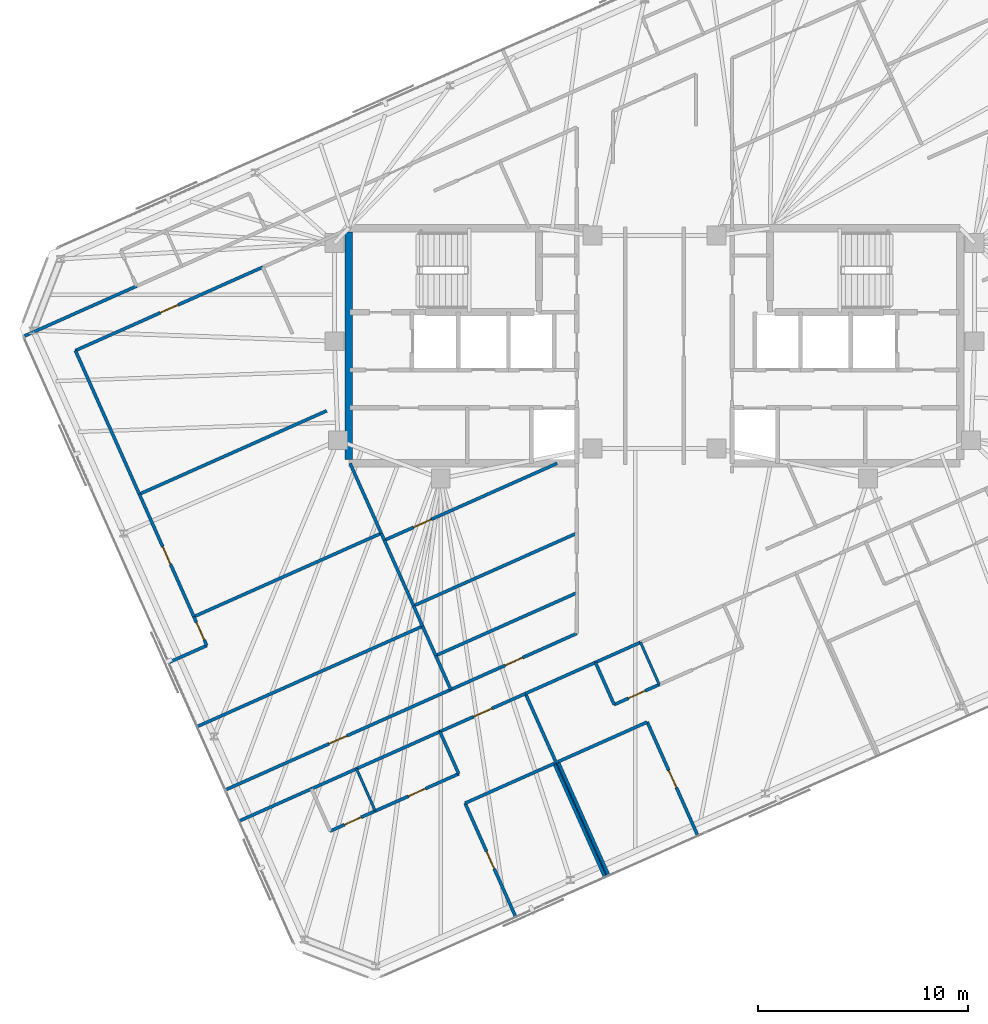
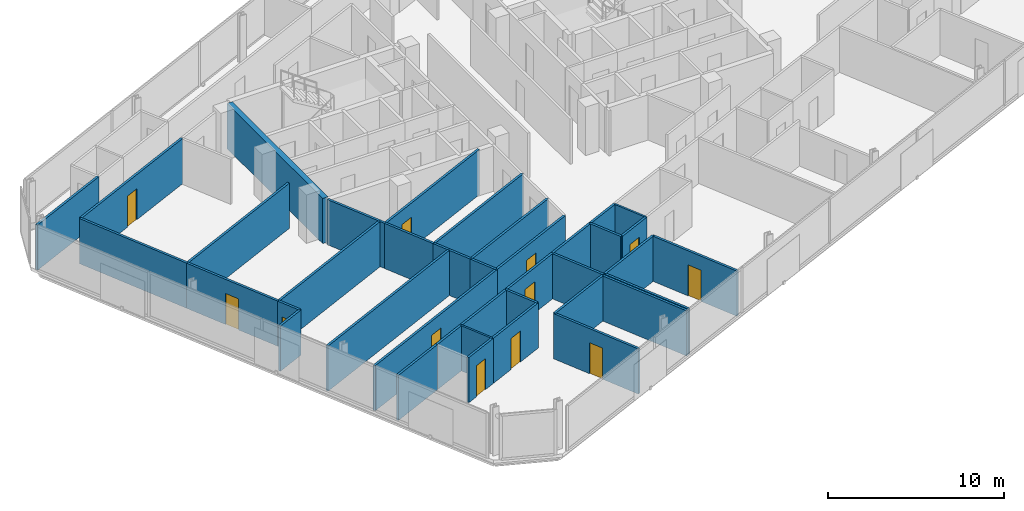
# One storey, part 13 of 19: 41 walls, 12 doors, 12 openings.
"""IFC4 building model written with IfcOpenShell, lengths in metres."""

from ifc_helpers import new_model, si_unit, direction, frame, frame_2d, origin, place, context, subcontext, project, spatial, rectangle, extrude, material, layer, layer_set, type_object, element, fill, save


model = new_model("IFC4")

# Units and contexts
model_context = context("Model", 3, precision=1e-05, world=origin(), true_north=direction((0.0, 1.0)))
body_context = subcontext(model_context, "Body", "Model", "MODEL_VIEW")
ifc_project = project(units=[si_unit("LENGTHUNIT", "METRE"), si_unit("AREAUNIT", "SQUARE_METRE"), si_unit("VOLUMEUNIT", "CUBIC_METRE"), si_unit("PLANEANGLEUNIT", "RADIAN"), si_unit("MASSUNIT", "GRAM", prefix="KILO")], contexts=[model_context])

# Site, building, storey
site_placement = place(None, origin())
site = spatial("IfcSite", under=ifc_project, at=site_placement, CompositionType="ELEMENT")
building_placement = place(site_placement, origin())
building = spatial("IfcBuilding", under=site, at=building_placement, Name="Menara Jurai Vektor", CompositionType="ELEMENT")
storey_placement = place(building_placement, frame((0.0, 0.0, 295.300048828125)))
storey = spatial("IfcBuildingStorey", under=building, at=storey_placement, Name="L79", CompositionType="ELEMENT", Elevation=295.300048828125)

# Walls
ifc_material_1 = material(Name="Gypsum Fireboard Partition", Category="gypsum")
ifc_layer_1 = layer(ifc_material_1, 0.14990234375)
ifc_layer_set_1 = layer_set([ifc_layer_1], Name="Gypsum Fireboard Partition")
wall_type_1 = type_object("IfcWallType", Name="INT-WALL-CORR-150", PredefinedType="PARTITIONING", material=ifc_layer_set_1)
wall_1_placement = place(storey_placement, frame((-30.063232421875, 0.44384765625, 0.0), z_axis=(0.0, 0.0, 1.0), x_axis=(0.913545336501, 0.406736915165, 0.0)))
element("IfcWall", 1, at=wall_1_placement, inside=storey, type_object=wall_type_1, Name="Interior Wall IW-150 L79", PredefinedType="PARTITIONING", context=body_context, shape_type="SweptSolid", body=[
    extrude(rectangle(XDim=5.904052734375, YDim=0.14990234375, at=frame_2d((2.9521484375, 0.0))), origin(), (0.0, 0.0, 1.0), 3.125),
])
wall_2_placement = place(storey_placement, frame((-19.786376953125, -22.638671875, 0.0), z_axis=(0.0, 0.0, 1.0), x_axis=(0.913541633228, 0.406745232743, 0.0)))
element("IfcWall", 2, at=wall_2_placement, inside=storey, type_object=wall_type_1, Name="Interior Wall IW-150 L79", PredefinedType="PARTITIONING", context=body_context, shape_type="SweptSolid", body=[
    extrude(rectangle(XDim=3.77001953125, YDim=0.14990234375, at=frame_2d((1.885009765625, 0.0))), origin(), (0.0, 0.0, 1.0), 3.125),
])

# Wall, opening, door
wall_3_placement = place(storey_placement, frame((-10.221435546875, -18.380126953125, 0.0), z_axis=(0.0, 0.0, 1.0), x_axis=(0.913542602601, 0.406743055543, 0.0)))
wall_3 = element("IfcWall", 3, at=wall_3_placement, inside=storey, type_object=wall_type_1, Name="Interior Wall IW-150 L79", PredefinedType="PARTITIONING", context=body_context, shape_type="SweptSolid", body=[
    extrude(rectangle(XDim=4.4580078125, YDim=0.14990234375, at=frame_2d((2.22900390625, 0.0))), origin(), (0.0, 0.0, 1.0), 3.125),
])
opening_1_placement = place(wall_3_placement, frame((1.75390625, 0.0, 0.0)))
opening_1 = element("IfcOpeningElement", 4, at=opening_1_placement, cuts=wall_3, Name="Opening D79-15", PredefinedType="OPENING", context=body_context, shape_type="SweptSolid", body=[
    extrude(rectangle(XDim=0.949951171875, YDim=2.14990234375, at=frame_2d((0.47509765625, 1.074951171875))), frame((0.0, 0.0849609375, 0.0), z_axis=(0.0, -1.0, 0.0), x_axis=(1.0, 0.0, 0.0)), (0.0, 0.0, 1.0), 0.169921875),
])
ifc_material_2 = material(Name="Solid Core Timber Fire Door", Category="wood")
door_type_1 = type_object("IfcDoorType", Name="DR-ENTRY-950", OperationType="NOTDEFINED", PredefinedType="DOOR", material=ifc_material_2)
door_1_placement = place(opening_1_placement, origin())
door_1 = element("IfcDoor", 5, at=door_1_placement, inside=storey, type_object=door_type_1, Name="Interior Door D79-15", OperationType="SINGLE_SWING_RIGHT", OverallHeight=2.14990234375, OverallWidth=0.949951171875, PredefinedType="DOOR", context=body_context, shape_type="SweptSolid", body=[
    extrude(rectangle(XDim=0.949951171875, YDim=2.14990234375, at=frame_2d((0.47509765625, 1.074951171875))), frame((0.0, 0.02490234375, 0.0), z_axis=(0.0, -1.0, 0.0), x_axis=(1.0, 0.0, 0.0)), (0.0, 0.0, 1.0), 0.050048828125),
])
fill(opening_1, door_1)

# Walls
wall_4_placement = place(storey_placement, frame((-16.34228515625, -21.105224609375, 0.0), z_axis=(0.0, 0.0, 1.0), x_axis=(0.913558622212, 0.406707073682, 0.0)))
element("IfcWall", 6, at=wall_4_placement, inside=storey, type_object=wall_type_1, Name="Interior Wall IW-150 L79", PredefinedType="PARTITIONING", context=body_context, shape_type="SweptSolid", body=[
    extrude(rectangle(XDim=2.35009765625, YDim=0.14990234375, at=frame_2d((1.175048828125, 0.0))), origin(), (0.0, 0.0, 1.0), 3.125),
])
wall_5_placement = place(storey_placement, frame((-14.1953125, -20.1494140625, 0.0), z_axis=(0.0, 0.0, 1.0), x_axis=(0.913545193015, 0.406737237438, 0.0)))
element("IfcWall", 7, at=wall_5_placement, inside=storey, type_object=wall_type_1, Name="Interior Wall IW-150 L79", PredefinedType="PARTITIONING", context=body_context, shape_type="SweptSolid", body=[
    extrude(rectangle(XDim=4.349853515625, YDim=0.14990234375, at=frame_2d((2.1748046875, 0.0))), origin(), (0.0, 0.0, 1.0), 3.125),
])
wall_6_placement = place(storey_placement, frame((-6.14892578125, -16.56689453125, 0.0), z_axis=(0.0, 0.0, 1.0), x_axis=(0.913543802, 0.40674036169, 0.0)))
element("IfcWall", 8, at=wall_6_placement, inside=storey, type_object=wall_type_1, Name="Interior Wall IW-150 L79", PredefinedType="PARTITIONING", context=body_context, shape_type="SweptSolid", body=[
    extrude(rectangle(XDim=3.650146484375, YDim=0.14990234375, at=frame_2d((1.8251953125, 0.0))), origin(), (0.0, 0.0, 1.0), 3.125),
])
wall_7_placement = place(storey_placement, frame((-2.814453125, -15.082275390625, 0.0), z_axis=(0.0, 0.0, 1.0), x_axis=(0.913558622212, 0.406707073682, 0.0)))
element("IfcWall", 9, at=wall_7_placement, inside=storey, type_object=wall_type_1, Name="Interior Wall IW-150 L79", PredefinedType="PARTITIONING", context=body_context, shape_type="SweptSolid", body=[
    extrude(rectangle(XDim=2.35009765625, YDim=0.14990234375, at=frame_2d((1.175048828125, 0.0))), origin(), (0.0, 0.0, 1.0), 3.125),
])

# Wall, opening, door
wall_8_placement = place(storey_placement, frame((-20.4453125, -21.15869140625, 0.0), z_axis=(0.0, 0.0, 1.0), x_axis=(0.913547681516, 0.406731648137, 0.0)))
wall_8 = element("IfcWall", 10, at=wall_8_placement, inside=storey, type_object=wall_type_1, Name="Interior Wall IW-150 L79", PredefinedType="PARTITIONING", context=body_context, shape_type="SweptSolid", body=[
    extrude(rectangle(XDim=11.760009765625, YDim=0.14990234375, at=frame_2d((5.8798828125, 0.0))), origin(), (0.0, 0.0, 1.0), 3.125),
])
opening_2_placement = place(wall_8_placement, frame((5.419921875, 0.0, 0.0)))
opening_2 = element("IfcOpeningElement", 11, at=opening_2_placement, cuts=wall_8, Name="Opening D79-31", PredefinedType="OPENING", context=body_context, shape_type="SweptSolid", body=[
    extrude(rectangle(XDim=0.919921875, YDim=2.14990234375, at=frame_2d((0.4599609375, 1.074951171875))), frame((0.0, 0.0849609375, 0.0), z_axis=(0.0, -1.0, 0.0), x_axis=(1.0, 0.0, 0.0)), (0.0, 0.0, 1.0), 0.169921875),
])
door_2_placement = place(opening_2_placement, origin())
door_2 = element("IfcDoor", 12, at=door_2_placement, inside=storey, type_object=door_type_1, Name="Interior Door D79-31", OperationType="SINGLE_SWING_RIGHT", OverallHeight=2.14990234375, OverallWidth=0.919921875, PredefinedType="DOOR", context=body_context, shape_type="SweptSolid", body=[
    extrude(rectangle(XDim=0.919921875, YDim=2.14990234375, at=frame_2d((0.4599609375, 1.074951171875))), frame((0.0, 0.02490234375, 0.0), z_axis=(0.0, -1.0, 0.0), x_axis=(1.0, 0.0, 0.0)), (0.0, 0.0, 1.0), 0.050048828125),
])
fill(opening_2, door_2)

# Wall
wall_9_placement = place(storey_placement, frame((-23.14794921875, -15.088134765625, 0.0), z_axis=(0.0, 0.0, 1.0), x_axis=(0.913553334727, 0.406718950392, 0.0)))
element("IfcWall", 13, at=wall_9_placement, inside=storey, type_object=wall_type_1, Name="Interior Wall IW-150 L79", PredefinedType="PARTITIONING", context=body_context, shape_type="SweptSolid", body=[
    extrude(rectangle(XDim=1.989990234375, YDim=0.14990234375, at=frame_2d((0.9951171875, 0.0))), origin(), (0.0, 0.0, 1.0), 3.125),
])

# Wall, opening, door
wall_10_placement = place(storey_placement, frame((-21.330078125, -14.27880859375, 0.0), z_axis=(0.0, 0.0, 1.0), x_axis=(-0.406725442105, 0.913550444554, 0.0)))
wall_10 = element("IfcWall", 14, at=wall_10_placement, inside=storey, type_object=wall_type_1, Name="Interior Wall IW-150 L79", PredefinedType="PARTITIONING", context=body_context, shape_type="SweptSolid", body=[
    extrude(rectangle(XDim=1.5048828125, YDim=0.14990234375, at=frame_2d((0.75244140625, 0.0))), origin(), (0.0, 0.0, 1.0), 3.125),
])
opening_3_placement = place(wall_10_placement, frame((0.29248046875, 0.0, 0.0)))
opening_3 = element("IfcOpeningElement", 15, at=opening_3_placement, cuts=wall_10, Name="Opening D79-32", PredefinedType="OPENING", context=body_context, shape_type="SweptSolid", body=[
    extrude(rectangle(XDim=0.919921875, YDim=2.14990234375, at=frame_2d((0.4599609375, 1.074951171875))), frame((0.0, 0.0849609375, 0.0), z_axis=(0.0, -1.0, 0.0), x_axis=(1.0, 0.0, 0.0)), (0.0, 0.0, 1.0), 0.169921875),
])
door_3_placement = place(opening_3_placement, origin())
door_3 = element("IfcDoor", 16, at=door_3_placement, inside=storey, type_object=door_type_1, Name="Interior Door D79-32", OperationType="SINGLE_SWING_LEFT", OverallHeight=2.14990234375, OverallWidth=0.919921875, PredefinedType="DOOR", context=body_context, shape_type="SweptSolid", body=[
    extrude(rectangle(XDim=0.919921875, YDim=2.14990234375, at=frame_2d((0.4599609375, 1.074951171875))), frame((0.0, 0.02490234375, 0.0), z_axis=(0.0, -1.0, 0.0), x_axis=(1.0, 0.0, 0.0)), (0.0, 0.0, 1.0), 0.050048828125),
])
fill(opening_3, door_3)

wall_11_placement = place(storey_placement, frame((-21.942138671875, -12.904052734375, 0.0), z_axis=(0.0, 0.0, 1.0), x_axis=(-0.406712833395, 0.913556058023, 0.0)))
wall_11 = element("IfcWall", 17, at=wall_11_placement, inside=storey, type_object=wall_type_1, Name="Interior Wall IW-150 L79", PredefinedType="PARTITIONING", context=body_context, shape_type="SweptSolid", body=[
    extrude(rectangle(XDim=6.38818359375, YDim=0.14990234375, at=frame_2d((3.194091796875, 0.0))), origin(), (0.0, 0.0, 1.0), 3.125),
])
opening_4_placement = place(wall_11_placement, frame((2.73388671875, 0.0, 0.0)))
opening_4 = element("IfcOpeningElement", 18, at=opening_4_placement, cuts=wall_11, Name="Opening D79-33", PredefinedType="OPENING", context=body_context, shape_type="SweptSolid", body=[
    extrude(rectangle(XDim=0.919921875, YDim=2.14990234375, at=frame_2d((0.4599609375, 1.074951171875))), frame((0.0, 0.0849609375, 0.0), z_axis=(0.0, -1.0, 0.0), x_axis=(1.0, 0.0, 0.0)), (0.0, 0.0, 1.0), 0.169921875),
])
door_4_placement = place(opening_4_placement, origin())
door_4 = element("IfcDoor", 19, at=door_4_placement, inside=storey, type_object=door_type_1, Name="Interior Door D79-33", OperationType="SINGLE_SWING_RIGHT", OverallHeight=2.14990234375, OverallWidth=0.919921875, PredefinedType="DOOR", context=body_context, shape_type="SweptSolid", body=[
    extrude(rectangle(XDim=0.919921875, YDim=2.14990234375, at=frame_2d((0.4599609375, 1.074951171875))), frame((0.0, 0.02490234375, 0.0), z_axis=(0.0, -1.0, 0.0), x_axis=(1.0, 0.0, 0.0)), (0.0, 0.0, 1.0), 0.050048828125),
])
fill(opening_4, door_4)

# Wall
wall_12_placement = place(storey_placement, frame((-24.540283203125, -7.068115234375, 0.0), z_axis=(0.0, 0.0, 1.0), x_axis=(-0.406758457302, 0.913535745011, 0.0)))
element("IfcWall", 20, at=wall_12_placement, inside=storey, type_object=wall_type_1, Name="Interior Wall IW-150 L79", PredefinedType="PARTITIONING", context=body_context, shape_type="SweptSolid", body=[
    extrude(rectangle(XDim=7.48876953125, YDim=0.14990234375, at=frame_2d((3.744384765625, 0.0))), origin(), (0.0, 0.0, 1.0), 3.125),
])

# Wall, opening, door
wall_13_placement = place(storey_placement, frame((-27.58642578125, -0.226806640625, 0.0), z_axis=(0.0, 0.0, 1.0), x_axis=(0.913542396088, 0.40674351937, 0.0)))
wall_13 = element("IfcWall", 21, at=wall_13_placement, inside=storey, type_object=wall_type_1, Name="Interior Wall IW-150 L79", PredefinedType="PARTITIONING", context=body_context, shape_type="SweptSolid", body=[
    extrude(rectangle(XDim=9.77001953125, YDim=0.14990234375, at=frame_2d((4.885009765625, 0.0))), origin(), (0.0, 0.0, 1.0), 3.125),
])
opening_5_placement = place(wall_13_placement, frame((4.425048828125, 0.0, 0.0)))
opening_5 = element("IfcOpeningElement", 22, at=opening_5_placement, cuts=wall_13, Name="Opening D79-34", PredefinedType="OPENING", context=body_context, shape_type="SweptSolid", body=[
    extrude(rectangle(XDim=0.919921875, YDim=2.14990234375, at=frame_2d((0.4599609375, 1.074951171875))), frame((0.0, 0.0849609375, 0.0), z_axis=(0.0, -1.0, 0.0), x_axis=(1.0, 0.0, 0.0)), (0.0, 0.0, 1.0), 0.169921875),
])
door_5_placement = place(opening_5_placement, origin())
door_5 = element("IfcDoor", 23, at=door_5_placement, inside=storey, type_object=door_type_1, Name="Interior Door D79-34", OperationType="SINGLE_SWING_LEFT", OverallHeight=2.14990234375, OverallWidth=0.919921875, PredefinedType="DOOR", context=body_context, shape_type="SweptSolid", body=[
    extrude(rectangle(XDim=0.919921875, YDim=2.14990234375, at=frame_2d((0.4599609375, 1.074951171875))), frame((0.0, 0.02490234375, 0.0), z_axis=(0.0, -1.0, 0.0), x_axis=(1.0, 0.0, 0.0)), (0.0, 0.0, 1.0), 0.050048828125),
])
fill(opening_5, door_5)

wall_14_placement = place(storey_placement, frame((-9.701904296875, -16.37548828125, 0.0), z_axis=(0.0, 0.0, 1.0), x_axis=(0.913552389019, 0.406721074594, 0.0)))
wall_14 = element("IfcWall", 24, at=wall_14_placement, inside=storey, type_object=wall_type_1, Name="Interior Wall IW-150 L79", PredefinedType="PARTITIONING", context=body_context, shape_type="SweptSolid", body=[
    extrude(rectangle(XDim=6.56982421875, YDim=0.14990234375, at=frame_2d((3.284912109375, 0.0))), origin(), (0.0, 0.0, 1.0), 3.125),
])
opening_6_placement = place(wall_14_placement, frame((2.824951171875, 0.0, 0.0)))
opening_6 = element("IfcOpeningElement", 25, at=opening_6_placement, cuts=wall_14, Name="Opening D79-37", PredefinedType="OPENING", context=body_context, shape_type="SweptSolid", body=[
    extrude(rectangle(XDim=0.919921875, YDim=2.14990234375, at=frame_2d((0.4599609375, 1.074951171875))), frame((0.0, 0.0849609375, 0.0), z_axis=(0.0, -1.0, 0.0), x_axis=(1.0, 0.0, 0.0)), (0.0, 0.0, 1.0), 0.169921875),
])
door_6_placement = place(opening_6_placement, origin())
door_6 = element("IfcDoor", 26, at=door_6_placement, inside=storey, type_object=door_type_1, Name="Interior Door D79-37", OperationType="SINGLE_SWING_RIGHT", OverallHeight=2.14990234375, OverallWidth=0.919921875, PredefinedType="DOOR", context=body_context, shape_type="SweptSolid", body=[
    extrude(rectangle(XDim=0.919921875, YDim=2.14990234375, at=frame_2d((0.4599609375, 1.074951171875))), frame((0.0, 0.02490234375, 0.0), z_axis=(0.0, -1.0, 0.0), x_axis=(1.0, 0.0, 0.0)), (0.0, 0.0, 1.0), 0.050048828125),
])
fill(opening_6, door_6)

wall_15_placement = place(storey_placement, frame((-15.447509765625, -23.114990234375, 0.0), z_axis=(0.0, 0.0, 1.0), x_axis=(0.913558622212, 0.406707073682, 0.0)))
wall_15 = element("IfcWall", 27, at=wall_15_placement, inside=storey, type_object=wall_type_1, Name="Interior Wall IW-150 L79", PredefinedType="PARTITIONING", context=body_context, shape_type="SweptSolid", body=[
    extrude(rectangle(XDim=2.35009765625, YDim=0.14990234375, at=frame_2d((1.175048828125, 0.0))), origin(), (0.0, 0.0, 1.0), 3.125),
])
opening_7_placement = place(wall_15_placement, frame((0.735107421875, 0.0, 0.0)))
opening_7 = element("IfcOpeningElement", 28, at=opening_7_placement, cuts=wall_15, Name="Opening D79-16", PredefinedType="OPENING", context=body_context, shape_type="SweptSolid", body=[
    extrude(rectangle(XDim=0.8798828125, YDim=2.14990234375, at=frame_2d((0.43994140625, 1.074951171875))), frame((0.0, 0.0849609375, 0.0), z_axis=(0.0, -1.0, 0.0), x_axis=(1.0, 0.0, 0.0)), (0.0, 0.0, 1.0), 0.169921875),
])
ifc_material_3 = material(Name="Moisture-Resistant Timber Door", Category="wood")
door_type_2 = type_object("IfcDoorType", Name="DR-BATH-880", OperationType="NOTDEFINED", PredefinedType="DOOR", material=ifc_material_3)
door_7_placement = place(opening_7_placement, origin())
door_7 = element("IfcDoor", 29, at=door_7_placement, inside=storey, type_object=door_type_2, Name="Interior Door D79-16", OperationType="SINGLE_SWING_LEFT", OverallHeight=2.14990234375, OverallWidth=0.8798828125, PredefinedType="DOOR", context=body_context, shape_type="SweptSolid", body=[
    extrude(rectangle(XDim=0.8798828125, YDim=2.14990234375, at=frame_2d((0.43994140625, 1.074951171875))), frame((0.0, 0.02490234375, 0.0), z_axis=(0.0, -1.0, 0.0), x_axis=(1.0, 0.0, 0.0)), (0.0, 0.0, 1.0), 0.050048828125),
])
fill(opening_7, door_7)

wall_16_placement = place(storey_placement, frame((-13.300537109375, -22.1591796875, 0.0), z_axis=(0.0, 0.0, 1.0), x_axis=(0.913545193015, 0.406737237438, 0.0)))
wall_16 = element("IfcWall", 30, at=wall_16_placement, inside=storey, type_object=wall_type_1, Name="Interior Wall IW-150 L79", PredefinedType="PARTITIONING", context=body_context, shape_type="SweptSolid", body=[
    extrude(rectangle(XDim=4.349853515625, YDim=0.14990234375, at=frame_2d((2.1748046875, 0.0))), origin(), (0.0, 0.0, 1.0), 3.125),
])
opening_8_placement = place(wall_16_placement, frame((1.72509765625, 0.0, 0.0)))
opening_8 = element("IfcOpeningElement", 31, at=opening_8_placement, cuts=wall_16, Name="Opening D79-17", PredefinedType="OPENING", context=body_context, shape_type="SweptSolid", body=[
    extrude(rectangle(XDim=0.89990234375, YDim=2.14990234375, at=frame_2d((0.449951171875, 1.074951171875))), frame((0.0, 0.0849609375, 0.0), z_axis=(0.0, -1.0, 0.0), x_axis=(1.0, 0.0, 0.0)), (0.0, 0.0, 1.0), 0.169921875),
])
ifc_material_4 = material(Name="Acoustic Timber Interior Door", Category="wood")
door_type_3 = type_object("IfcDoorType", Name="DR-ROOM-900", OperationType="NOTDEFINED", PredefinedType="DOOR", material=ifc_material_4)
door_8_placement = place(opening_8_placement, origin())
door_8 = element("IfcDoor", 32, at=door_8_placement, inside=storey, type_object=door_type_3, Name="Interior Door D79-17", OperationType="SINGLE_SWING_RIGHT", OverallHeight=2.14990234375, OverallWidth=0.89990234375, PredefinedType="DOOR", context=body_context, shape_type="SweptSolid", body=[
    extrude(rectangle(XDim=0.89990234375, YDim=2.14990234375, at=frame_2d((0.449951171875, 1.074951171875))), frame((0.0, 0.02490234375, 0.0), z_axis=(0.0, -1.0, 0.0), x_axis=(1.0, 0.0, 0.0)), (0.0, 0.0, 1.0), 0.050048828125),
])
fill(opening_8, door_8)

# Wall
wall_17_placement = place(storey_placement, frame((-9.32666015625, -20.389892578125, 0.0), z_axis=(0.0, 0.0, 1.0), x_axis=(-0.406725294076, 0.913550510459, 0.0)))
element("IfcWall", 33, at=wall_17_placement, inside=storey, type_object=wall_type_1, Name="Interior Wall IW-150 L79", PredefinedType="PARTITIONING", context=body_context, shape_type="SweptSolid", body=[
    extrude(rectangle(XDim=2.199951171875, YDim=0.14990234375, at=frame_2d((1.10009765625, 0.0))), origin(), (0.0, 0.0, 1.0), 3.125),
])

# Wall, opening, door
wall_18_placement = place(storey_placement, frame((-6.610107421875, -27.209716796875, 0.0), z_axis=(0.0, 0.0, 1.0), x_axis=(-0.406699433793, 0.913562023375, 0.0)))
wall_18 = element("IfcWall", 34, at=wall_18_placement, inside=storey, type_object=wall_type_1, Name="Interior Wall IW-150 L79", PredefinedType="PARTITIONING", context=body_context, shape_type="SweptSolid", body=[
    extrude(rectangle(XDim=5.93505859375, YDim=0.14990234375, at=frame_2d((2.967529296875, 0.0))), origin(), (0.0, 0.0, 1.0), 3.125),
])
opening_9_placement = place(wall_18_placement, frame((2.517578125, 0.0, 0.0)))
opening_9 = element("IfcOpeningElement", 35, at=opening_9_placement, cuts=wall_18, Name="Opening D79-18", PredefinedType="OPENING", context=body_context, shape_type="SweptSolid", body=[
    extrude(rectangle(XDim=0.89990234375, YDim=2.14990234375, at=frame_2d((0.449951171875, 1.074951171875))), frame((0.0, 0.0849609375, 0.0), z_axis=(0.0, -1.0, 0.0), x_axis=(1.0, 0.0, 0.0)), (0.0, 0.0, 1.0), 0.169921875),
])
door_9_placement = place(opening_9_placement, origin())
door_9 = element("IfcDoor", 36, at=door_9_placement, inside=storey, type_object=door_type_3, Name="Interior Door D79-18", OperationType="SINGLE_SWING_LEFT", OverallHeight=2.14990234375, OverallWidth=0.89990234375, PredefinedType="DOOR", context=body_context, shape_type="SweptSolid", body=[
    extrude(rectangle(XDim=0.89990234375, YDim=2.14990234375, at=frame_2d((0.449951171875, 1.074951171875))), frame((0.0, 0.02490234375, 0.0), z_axis=(0.0, -1.0, 0.0), x_axis=(1.0, 0.0, 0.0)), (0.0, 0.0, 1.0), 0.050048828125),
])
fill(opening_9, door_9)

# Walls
wall_19_placement = place(storey_placement, frame((-9.02392578125, -21.78759765625, 0.0), z_axis=(0.0, 0.0, 1.0), x_axis=(0.913564558304, 0.406693739576, 0.0)))
element("IfcWall", 37, at=wall_19_placement, inside=storey, type_object=wall_type_1, Name="Interior Wall IW-150 L79", PredefinedType="PARTITIONING", context=body_context, shape_type="SweptSolid", body=[
    extrude(rectangle(XDim=4.64990234375, YDim=0.14990234375, at=frame_2d((2.324951171875, 0.0))), origin(), (0.0, 0.0, 1.0), 3.125),
])
wall_20_placement = place(storey_placement, frame((-2.362060546875, -25.318359375, 0.0), z_axis=(0.0, 0.0, 1.0), x_axis=(-0.406714717734, 0.913555219119, 0.0)))
element("IfcWall", 38, at=wall_20_placement, inside=storey, type_object=wall_type_1, Name="Interior Wall IW-150 L79", PredefinedType="PARTITIONING", context=body_context, shape_type="SweptSolid", body=[
    extrude(rectangle(XDim=5.934814453125, YDim=0.14990234375, at=frame_2d((2.96728515625, 0.0))), origin(), (0.0, 0.0, 1.0), 3.125),
])
wall_21_placement = place(storey_placement, frame((-2.2705078125, -25.277587890625, 0.0), z_axis=(0.0, 0.0, 1.0), x_axis=(-0.406751296215, 0.913538933504, 0.0)))
element("IfcWall", 39, at=wall_21_placement, inside=storey, type_object=wall_type_1, Name="Interior Wall IW-150 L79", PredefinedType="PARTITIONING", context=body_context, shape_type="SweptSolid", body=[
    extrude(rectangle(XDim=9.53515625, YDim=0.14990234375, at=frame_2d((4.767578125, 0.0))), origin(), (0.0, 0.0, 1.0), 3.125),
])
wall_22_placement = place(storey_placement, frame((-1.919677734375, -17.092041015625, 0.0), z_axis=(0.0, 0.0, 1.0), x_axis=(-0.406725294076, 0.913550510459, 0.0)))
element("IfcWall", 40, at=wall_22_placement, inside=storey, type_object=wall_type_1, Name="Interior Wall IW-150 L79", PredefinedType="PARTITIONING", context=body_context, shape_type="SweptSolid", body=[
    extrude(rectangle(XDim=2.199951171875, YDim=0.14990234375, at=frame_2d((1.10009765625, 0.0))), origin(), (0.0, 0.0, 1.0), 3.125),
])

# Wall, opening, door
wall_23_placement = place(storey_placement, frame((-1.919677734375, -17.092041015625, 0.0), z_axis=(0.0, 0.0, 1.0), x_axis=(0.913558622212, 0.406707073682, 0.0)))
wall_23 = element("IfcWall", 41, at=wall_23_placement, inside=storey, type_object=wall_type_1, Name="Interior Wall IW-150 L79", PredefinedType="PARTITIONING", context=body_context, shape_type="SweptSolid", body=[
    extrude(rectangle(XDim=2.35009765625, YDim=0.14990234375, at=frame_2d((1.175048828125, 0.0))), origin(), (0.0, 0.0, 1.0), 3.125),
])
opening_10_placement = place(wall_23_placement, frame((0.735107421875, 0.0, 0.0)))
opening_10 = element("IfcOpeningElement", 42, at=opening_10_placement, cuts=wall_23, Name="Opening D79-20", PredefinedType="OPENING", context=body_context, shape_type="SweptSolid", body=[
    extrude(rectangle(XDim=0.8798828125, YDim=2.14990234375, at=frame_2d((0.43994140625, 1.074951171875))), frame((0.0, 0.0849609375, 0.0), z_axis=(0.0, -1.0, 0.0), x_axis=(1.0, 0.0, 0.0)), (0.0, 0.0, 1.0), 0.169921875),
])
door_10_placement = place(opening_10_placement, origin())
door_10 = element("IfcDoor", 43, at=door_10_placement, inside=storey, type_object=door_type_2, Name="Interior Door D79-20", OperationType="SINGLE_SWING_LEFT", OverallHeight=2.14990234375, OverallWidth=0.8798828125, PredefinedType="DOOR", context=body_context, shape_type="SweptSolid", body=[
    extrude(rectangle(XDim=0.8798828125, YDim=2.14990234375, at=frame_2d((0.43994140625, 1.074951171875))), frame((0.0, 0.02490234375, 0.0), z_axis=(0.0, -1.0, 0.0), x_axis=(1.0, 0.0, 0.0)), (0.0, 0.0, 1.0), 0.050048828125),
])
fill(opening_10, door_10)

# Walls
wall_24_placement = place(storey_placement, frame((-2.17919921875, -25.23681640625, 0.0), z_axis=(0.0, 0.0, 1.0), x_axis=(-0.406749048544, 0.913539934271, 0.0)))
element("IfcWall", 44, at=wall_24_placement, inside=storey, type_object=wall_type_1, Name="Interior Wall IW-150 L79", PredefinedType="PARTITIONING", context=body_context, shape_type="SweptSolid", body=[
    extrude(rectangle(XDim=5.93505859375, YDim=0.14990234375, at=frame_2d((2.967529296875, 0.0))), origin(), (0.0, 0.0, 1.0), 3.125),
])
wall_25_placement = place(storey_placement, frame((-4.59326171875, -19.81494140625, 0.0), z_axis=(0.0, 0.0, 1.0), x_axis=(0.91354505039, 0.40673755778, 0.0)))
element("IfcWall", 45, at=wall_25_placement, inside=storey, type_object=wall_type_1, Name="Interior Wall IW-150 L79", PredefinedType="PARTITIONING", context=body_context, shape_type="SweptSolid", body=[
    extrude(rectangle(XDim=4.650146484375, YDim=0.14990234375, at=frame_2d((2.3251953125, 0.0))), origin(), (0.0, 0.0, 1.0), 3.125),
])

# Wall, opening, door
wall_26_placement = place(storey_placement, frame((2.068603515625, -23.345703125, 0.0), z_axis=(0.0, 0.0, 1.0), x_axis=(-0.406699433793, 0.913562023375, 0.0)))
wall_26 = element("IfcWall", 46, at=wall_26_placement, inside=storey, type_object=wall_type_1, Name="Interior Wall IW-150 L79", PredefinedType="PARTITIONING", context=body_context, shape_type="SweptSolid", body=[
    extrude(rectangle(XDim=5.93505859375, YDim=0.14990234375, at=frame_2d((2.967529296875, 0.0))), origin(), (0.0, 0.0, 1.0), 3.125),
])
opening_11_placement = place(wall_26_placement, frame((2.517578125, 0.0, 0.0)))
opening_11 = element("IfcOpeningElement", 47, at=opening_11_placement, cuts=wall_26, Name="Opening D79-22", PredefinedType="OPENING", context=body_context, shape_type="SweptSolid", body=[
    extrude(rectangle(XDim=0.89990234375, YDim=2.14990234375, at=frame_2d((0.449951171875, 1.074951171875))), frame((0.0, 0.0849609375, 0.0), z_axis=(0.0, -1.0, 0.0), x_axis=(1.0, 0.0, 0.0)), (0.0, 0.0, 1.0), 0.169921875),
])
door_11_placement = place(opening_11_placement, origin())
door_11 = element("IfcDoor", 48, at=door_11_placement, inside=storey, type_object=door_type_3, Name="Interior Door D79-22", OperationType="SINGLE_SWING_LEFT", OverallHeight=2.14990234375, OverallWidth=0.89990234375, PredefinedType="DOOR", context=body_context, shape_type="SweptSolid", body=[
    extrude(rectangle(XDim=0.89990234375, YDim=2.14990234375, at=frame_2d((0.449951171875, 1.074951171875))), frame((0.0, 0.02490234375, 0.0), z_axis=(0.0, -1.0, 0.0), x_axis=(1.0, 0.0, 0.0)), (0.0, 0.0, 1.0), 0.050048828125),
])
fill(opening_11, door_11)

# Walls
wall_27_placement = place(storey_placement, frame((-21.7890625, -18.140380859375, 0.0), z_axis=(0.0, 0.0, 1.0), x_axis=(0.913544247064, 0.406739362069, 0.0)))
element("IfcWall", 49, at=wall_27_placement, inside=storey, type_object=wall_type_1, Name="Interior Wall IW-150 L79", PredefinedType="PARTITIONING", context=body_context, shape_type="SweptSolid", body=[
    extrude(rectangle(XDim=11.759765625, YDim=0.14990234375, at=frame_2d((5.8798828125, 0.0))), origin(), (0.0, 0.0, 1.0), 3.125),
])
wall_28_placement = place(storey_placement, frame((-9.701904296875, -16.37548828125, 0.0), z_axis=(0.0, 0.0, 1.0), x_axis=(-0.406740252054, 0.913543850813, 0.0)))
element("IfcWall", 50, at=wall_28_placement, inside=storey, type_object=wall_type_1, Name="Interior Wall IW-150 L79", PredefinedType="PARTITIONING", context=body_context, shape_type="SweptSolid", body=[
    extrude(rectangle(XDim=1.768798828125, YDim=0.14990234375, at=frame_2d((0.88427734375, 0.0))), origin(), (0.0, 0.0, 1.0), 3.125),
])
wall_29_placement = place(storey_placement, frame((-10.42138671875, -14.759521484375, 0.0), z_axis=(0.0, 0.0, 1.0), x_axis=(-0.406817131294, 0.91350961773, 0.0)))
element("IfcWall", 51, at=wall_29_placement, inside=storey, type_object=wall_type_1, Name="Interior Wall IW-150 L79", PredefinedType="PARTITIONING", context=body_context, shape_type="SweptSolid", body=[
    extrude(rectangle(XDim=1.53515625, YDim=0.14990234375, at=frame_2d((0.767578125, 0.0))), origin(), (0.0, 0.0, 1.0), 3.125),
])
wall_30_placement = place(storey_placement, frame((-21.942138671875, -12.904052734375, 0.0), z_axis=(0.0, 0.0, 1.0), x_axis=(0.913542396088, 0.40674351937, 0.0)))
element("IfcWall", 52, at=wall_30_placement, inside=storey, type_object=wall_type_1, Name="Interior Wall IW-150 L79", PredefinedType="PARTITIONING", context=body_context, shape_type="SweptSolid", body=[
    extrude(rectangle(XDim=9.77001953125, YDim=0.14990234375, at=frame_2d((4.885009765625, 0.0))), origin(), (0.0, 0.0, 1.0), 3.125),
])
wall_31_placement = place(storey_placement, frame((-11.0458984375, -13.357177734375, 0.0), z_axis=(0.0, 0.0, 1.0), x_axis=(-0.406629497236, 0.913593154515, 0.0)))
element("IfcWall", 53, at=wall_31_placement, inside=storey, type_object=wall_type_1, Name="Interior Wall IW-150 L79", PredefinedType="PARTITIONING", context=body_context, shape_type="SweptSolid", body=[
    extrude(rectangle(XDim=1.060791015625, YDim=0.14990234375, at=frame_2d((0.5302734375, 0.0))), origin(), (0.0, 0.0, 1.0), 3.125),
])
wall_32_placement = place(storey_placement, frame((-11.477294921875, -12.387939453125, 0.0), z_axis=(0.0, 0.0, 1.0), x_axis=(-0.406760980894, 0.913534621359, 0.0)))
element("IfcWall", 54, at=wall_32_placement, inside=storey, type_object=wall_type_1, Name="Interior Wall IW-150 L79", PredefinedType="PARTITIONING", context=body_context, shape_type="SweptSolid", body=[
    extrude(rectangle(XDim=3.419921875, YDim=0.14990234375, at=frame_2d((1.7099609375, 0.0))), origin(), (0.0, 0.0, 1.0), 3.125),
])
wall_33_placement = place(storey_placement, frame((-12.868408203125, -9.263671875, 0.0), z_axis=(0.0, 0.0, 1.0), x_axis=(-0.406634840409, 0.913590776314, 0.0)))
element("IfcWall", 55, at=wall_33_placement, inside=storey, type_object=wall_type_1, Name="Interior Wall IW-150 L79", PredefinedType="PARTITIONING", context=body_context, shape_type="SweptSolid", body=[
    extrude(rectangle(XDim=0.364990234375, YDim=0.14990234375, at=frame_2d((0.1826171875, 0.0))), origin(), (0.0, 0.0, 1.0), 3.125),
])
wall_34_placement = place(storey_placement, frame((-24.540283203125, -7.068115234375, 0.0), z_axis=(0.0, 0.0, 1.0), x_axis=(0.913551681238, 0.406722664364, 0.0)))
element("IfcWall", 56, at=wall_34_placement, inside=storey, type_object=wall_type_1, Name="Interior Wall IW-150 L79", PredefinedType="PARTITIONING", context=body_context, shape_type="SweptSolid", body=[
    extrude(rectangle(XDim=9.769775390625, YDim=0.14990234375, at=frame_2d((4.884765625, 0.0))), origin(), (0.0, 0.0, 1.0), 3.125),
])
wall_35_placement = place(storey_placement, frame((-13.016845703125, -8.93017578125, 0.0), z_axis=(0.0, 0.0, 1.0), x_axis=(-0.406722395322, 0.913551801018, 0.0)))
element("IfcWall", 57, at=wall_35_placement, inside=storey, type_object=wall_type_1, Name="Interior Wall IW-150 L79", PredefinedType="PARTITIONING", context=body_context, shape_type="SweptSolid", body=[
    extrude(rectangle(XDim=3.64599609375, YDim=0.14990234375, at=frame_2d((1.822998046875, 0.0))), origin(), (0.0, 0.0, 1.0), 3.125),
])
wall_36_placement = place(storey_placement, frame((-10.42138671875, -14.759521484375, 0.0), z_axis=(0.0, 0.0, 1.0), x_axis=(0.913533574053, 0.406763333006, 0.0)))
element("IfcWall", 58, at=wall_36_placement, inside=storey, type_object=wall_type_1, Name="Interior Wall IW-150 L79", PredefinedType="PARTITIONING", context=body_context, shape_type="SweptSolid", body=[
    extrude(rectangle(XDim=7.35791015625, YDim=0.14990234375, at=frame_2d((3.678955078125, 0.0))), origin(), (0.0, 0.0, 1.0), 3.125),
])
wall_37_placement = place(storey_placement, frame((-11.477294921875, -12.387939453125, 0.0), z_axis=(0.0, 0.0, 1.0), x_axis=(0.913542897736, 0.406742392673, 0.0)))
element("IfcWall", 59, at=wall_37_placement, inside=storey, type_object=wall_type_1, Name="Interior Wall IW-150 L79", PredefinedType="PARTITIONING", context=body_context, shape_type="SweptSolid", body=[
    extrude(rectangle(XDim=8.51318359375, YDim=0.14990234375, at=frame_2d((4.256591796875, 0.0))), origin(), (0.0, 0.0, 1.0), 3.125),
])

# Wall, opening, door
wall_38_placement = place(storey_placement, frame((-12.868408203125, -9.263671875, 0.0), z_axis=(0.0, 0.0, 1.0), x_axis=(0.913545332854, 0.406736923356, 0.0)))
wall_38 = element("IfcWall", 60, at=wall_38_placement, inside=storey, type_object=wall_type_1, Name="Interior Wall IW-150 L79", PredefinedType="PARTITIONING", context=body_context, shape_type="SweptSolid", body=[
    extrude(rectangle(XDim=9.00732421875, YDim=0.14990234375, at=frame_2d((4.503662109375, 0.0))), origin(), (0.0, 0.0, 1.0), 3.125),
])
opening_12_placement = place(wall_38_placement, frame((1.521484375, 0.0, 0.0)))
opening_12 = element("IfcOpeningElement", 61, at=opening_12_placement, cuts=wall_38, Name="Opening D79-40", PredefinedType="OPENING", context=body_context, shape_type="SweptSolid", body=[
    extrude(rectangle(XDim=0.919921875, YDim=2.14990234375, at=frame_2d((0.4599609375, 1.074951171875))), frame((0.0, 0.0849609375, 0.0), z_axis=(0.0, -1.0, 0.0), x_axis=(1.0, 0.0, 0.0)), (0.0, 0.0, 1.0), 0.169921875),
])
door_12_placement = place(opening_12_placement, origin())
door_12 = element("IfcDoor", 62, at=door_12_placement, inside=storey, type_object=door_type_1, Name="Interior Door D79-40", OperationType="SINGLE_SWING_LEFT", OverallHeight=2.14990234375, OverallWidth=0.919921875, PredefinedType="DOOR", context=body_context, shape_type="SweptSolid", body=[
    extrude(rectangle(XDim=0.919921875, YDim=2.14990234375, at=frame_2d((0.4599609375, 1.074951171875))), frame((0.0, 0.02490234375, 0.0), z_axis=(0.0, -1.0, 0.0), x_axis=(1.0, 0.0, 0.0)), (0.0, 0.0, 1.0), 0.050048828125),
])
fill(opening_12, door_12)

# Walls
ifc_material_5 = material(Name="Gypsum Acoustic Stud Partition", Category="gypsum")
ifc_layer_2 = layer(ifc_material_5, 0.1201171875)
ifc_layer_set_2 = layer_set([ifc_layer_2], Name="Gypsum Acoustic Stud Partition")
wall_type_2 = type_object("IfcWallType", Name="INT-WALL-PART-120", PredefinedType="PARTITIONING", material=ifc_layer_set_2)
for number, where, z_axis, x_axis, name in (
    (63, (-13.300537109375, -22.1591796875, 0.0), (0.0, 0.0, 1.0), (-0.406725294076, 0.913550510459, 0.0), "Interior Wall IW-120 L79"),
    (64, (0.227294921875, -16.13623046875, 0.0), (0.0, 0.0, 1.0), (-0.406725294076, 0.913550510459, 0.0), "Interior Wall IW-120 L79"),
):
    element("IfcWall", number, at=place(storey_placement, frame(where, z_axis=z_axis, x_axis=x_axis)), inside=storey, type_object=wall_type_2, Name=name, PredefinedType="PARTITIONING", context=body_context, shape_type="SweptSolid", body=[
        extrude(rectangle(XDim=2.199951171875, YDim=0.1201171875, at=frame_2d((1.10009765625, 0.0))), origin(), (0.0, 0.0, 1.0), 3.125),
    ])
ifc_material_6 = material(Name="Concrete C50/60", Category="concrete")
ifc_layer_3 = layer(ifc_material_6, 0.35009765625)
ifc_layer_set_3 = layer_set([ifc_layer_3], Name="Concrete C50/60")
wall_type_3 = type_object("IfcWallType", Name="STR-WALL-CORE350", PredefinedType="SHEAR", material=ifc_layer_set_3)
wall_39_placement = place(storey_placement, frame((-14.56005859375, -5.425048828125, 0.0), z_axis=(0.0, 0.0, 1.0), x_axis=(0.0, 1.0, 0.0)))
element("IfcWall", 65, at=wall_39_placement, inside=storey, type_object=wall_type_3, Name="Core Shear Wall CW-W-W L79", PredefinedType="SHEAR", context=body_context, shape_type="SweptSolid", body=[
    extrude(rectangle(XDim=10.85009765625, YDim=0.35009765625, at=frame_2d((5.425048828125, 0.0))), origin(), (0.0, 0.0, 1.0), 3.125),
])

save(model, "model.ifc")
